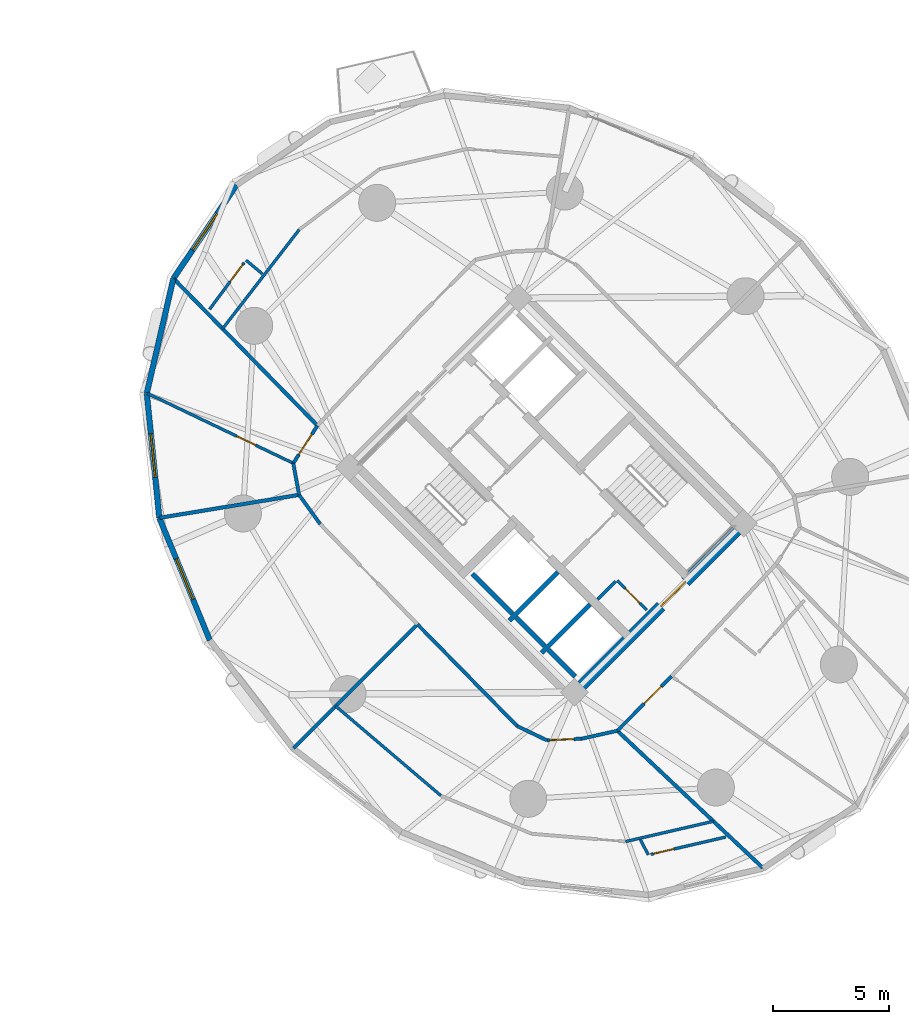
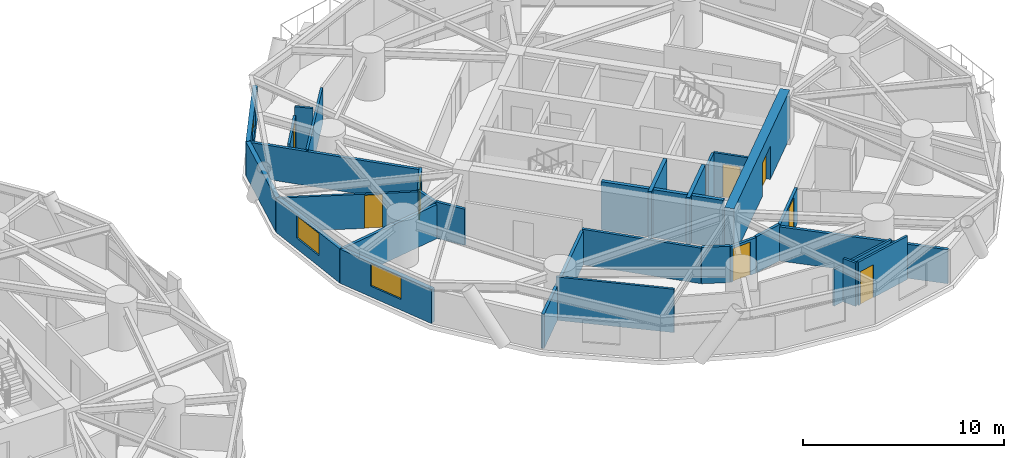
# One storey, part 12 of 19: 32 walls, 8 doors, 3 windows, 11 openings.
"""IFC4 building model written with IfcOpenShell, lengths in metres."""

from ifc_helpers import new_model, si_unit, direction, frame, frame_2d, origin, place, context, subcontext, project, spatial, rectangle, extrude, source, transform, mapped, material, layer, layer_set, type_object, element, fill, save


model = new_model("IFC4")

# Units and contexts
model_context = context("Model", 3, precision=1e-05, world=origin(), true_north=direction((0.0, 1.0)))
body_context = subcontext(model_context, "Body", "Model", "MODEL_VIEW")
ifc_project = project(units=[si_unit("LENGTHUNIT", "METRE"), si_unit("AREAUNIT", "SQUARE_METRE"), si_unit("VOLUMEUNIT", "CUBIC_METRE"), si_unit("PLANEANGLEUNIT", "RADIAN"), si_unit("MASSUNIT", "GRAM", prefix="KILO")], contexts=[model_context])

# Site, building, storey
site_placement = place(None, origin())
site = spatial("IfcSite", under=ifc_project, at=site_placement, CompositionType="ELEMENT")
building_placement = place(site_placement, origin())
building = spatial("IfcBuilding", under=site, at=building_placement, Name="Cununo Teusaquillo Station Towers", CompositionType="ELEMENT")
storey_placement = place(building_placement, frame((0.0, 0.0, 42.3701171875)))
storey = spatial("IfcBuildingStorey", under=building, at=storey_placement, Name="L12", CompositionType="ELEMENT", Elevation=42.3701171875)

# Walls
ifc_material_1 = material(Name="Concrete C50/60", Category="concrete")
ifc_layer_1 = layer(ifc_material_1, 0.199951171875)
ifc_layer_set_1 = layer_set([ifc_layer_1], Name="Concrete C50/60")
wall_type_1 = type_object("IfcWallType", Name="WL-CORE-200", PredefinedType="SHEAR", material=ifc_layer_set_1)
wall_1_placement = place(storey_placement, frame((55.8876953125, 19.0693359375, 0.0), z_axis=(0.0, 0.0, 1.0), x_axis=(0.707106781187, 0.707106781187, 0.0)))
element("IfcWall", 1, at=wall_1_placement, inside=storey, type_object=wall_type_1, Name="L12 Tower B Firefighting Lift Shaft South Shear Wall", PredefinedType="SHEAR", context=body_context, shape_type="SweptSolid", body=[
    extrude(rectangle(XDim=2.969970703125, YDim=0.199951171875, at=frame_2d((1.48486328125, 0.0))), origin(), (0.0, 0.0, 1.0), 2.909912109375),
])
wall_2_placement = place(storey_placement, frame((56.01513671875, 19.366455078125, 0.0), z_axis=(0.0, 0.0, 1.0), x_axis=(-0.707106781187, 0.707106781187, 0.0)))
element("IfcWall", 2, at=wall_2_placement, inside=storey, type_object=wall_type_1, Name="L12 Tower B Firefighting Lift Shaft Rear Shear Wall", PredefinedType="SHEAR", context=body_context, shape_type="SweptSolid", body=[
    extrude(rectangle(XDim=2.43994140625, YDim=0.199951171875, at=frame_2d((1.219970703125, 0.0))), origin(), (0.0, 0.0, 1.0), 2.909912109375),
])
wall_3_placement = place(storey_placement, frame((57.2841796875, 17.6728515625, 0.0), z_axis=(0.0, 0.0, 1.0), x_axis=(0.707147878904, 0.70706568108, 0.0)))
element("IfcWall", 3, at=wall_3_placement, inside=storey, type_object=wall_type_1, Name="L12 Tower B High-Rise Lift Hoistway Divider Shear Wall", PredefinedType="SHEAR", context=body_context, shape_type="SweptSolid", body=[
    extrude(rectangle(XDim=2.97021484375, YDim=0.199951171875, at=frame_2d((1.485107421875, 0.0))), origin(), (0.0, 0.0, 1.0), 2.909912109375),
])
wall_4_placement = place(storey_placement, frame((57.41162109375, 17.969970703125, 0.0), z_axis=(0.0, 0.0, 1.0), x_axis=(-0.707106781187, 0.707106781187, 0.0)))
element("IfcWall", 4, at=wall_4_placement, inside=storey, type_object=wall_type_1, Name="L12 Tower B High-Rise Lift 2 Shaft Rear Shear Wall", PredefinedType="SHEAR", context=body_context, shape_type="SweptSolid", body=[
    extrude(rectangle(XDim=1.73486328125, YDim=0.199951171875, at=frame_2d((0.867431640625, 0.0))), origin(), (0.0, 0.0, 1.0), 2.909912109375),
])
wall_5_placement = place(storey_placement, frame((58.7373046875, 16.64404296875, 0.0), z_axis=(0.0, 0.0, 1.0), x_axis=(-0.707032117043, 0.707181437447, 0.0)))
element("IfcWall", 5, at=wall_5_placement, inside=storey, type_object=wall_type_1, Name="L12 Tower B High-Rise Lift 1 Shaft Rear Shear Wall", PredefinedType="SHEAR", context=body_context, shape_type="SweptSolid", body=[
    extrude(rectangle(XDim=1.635009765625, YDim=0.199951171875, at=frame_2d((0.8173828125, 0.0))), origin(), (0.0, 0.0, 1.0), 2.909912109375),
])

# Wall, opening, door
ifc_material_2 = material(Name="Concrete C60/75", Category="concrete")
ifc_layer_2 = layer(ifc_material_2, 0.5)
ifc_layer_set_2 = layer_set([ifc_layer_2], Name="Concrete C60/75")
wall_type_2 = type_object("IfcWallType", Name="WL-CORE-500", PredefinedType="SHEAR", material=ifc_layer_set_2)
wall_6_placement = place(storey_placement, frame((58.595947265625, 15.837890625, 0.0), z_axis=(0.0, 0.0, 1.0), x_axis=(0.707106781187, 0.707106781187, 0.0)))
wall_6 = element("IfcWall", 6, at=wall_6_placement, inside=storey, type_object=wall_type_2, Name="L12 Tower B Core Shear Wall S", PredefinedType="SHEAR", context=body_context, shape_type="SweptSolid", body=[
    extrude(rectangle(XDim=10.7001953125, YDim=0.5, at=frame_2d((5.35009765625, 0.0))), origin(), (0.0, 0.0, 1.0), 2.909912109375),
])
shared_shape_1 = source(origin(), body_context, "Body", "SweptSolid", [
    extrude(rectangle(XDim=1.5, YDim=2.02001953125, at=frame_2d((0.75, 1.010009765625))), frame((0.0, 0.260009765625, 0.0), z_axis=(0.0, -1.0, 0.0), x_axis=(1.0, 0.0, 0.0)), (0.0, 0.0, 1.0), 0.52001953125),
])
opening_1_placement = place(wall_6_placement, frame((5.449951171875, 0.0, 0.0)))
opening_1 = element("IfcOpeningElement", 7, at=opening_1_placement, cuts=wall_6, Name="Opening D-LB1", PredefinedType="OPENING", context=body_context, shape_type="MappedRepresentation", body=[
    mapped(shared_shape_1, transform((0.0, 0.0, 0.0), x_axis=(1.0, 0.0, 0.0), y_axis=(0.0, 1.0, 0.0), z_axis=(0.0, 0.0, 1.0), scale=1.0)),
])
ifc_material_3 = material(Name="Galvanised fire-rated hollow steel door assembly", Category="steel")
door_type_1 = type_object("IfcDoorType", Name="DR-LOBBY-1500", OperationType="DOUBLE_DOOR_SINGLE_SWING", PredefinedType="DOOR", material=ifc_material_3)
shared_shape_2 = source(origin(), body_context, "Body", "SweptSolid", [
    extrude(rectangle(XDim=1.5, YDim=2.02001953125, at=frame_2d((0.75, 1.010009765625))), frame((0.0, 0.02490234375, 0.0), z_axis=(0.0, -1.0, 0.0), x_axis=(1.0, 0.0, 0.0)), (0.0, 0.0, 1.0), 0.050048828125),
])
door_1_placement = place(opening_1_placement, origin())
door_1 = element("IfcDoor", 8, at=door_1_placement, inside=storey, type_object=door_type_1, Name="L12 Tower B South Core Lift Lobby Door", OperationType="DOUBLE_DOOR_SINGLE_SWING", OverallHeight=2.02001953125, OverallWidth=1.5, PredefinedType="DOOR", context=body_context, shape_type="MappedRepresentation", body=[
    mapped(shared_shape_2, transform((0.0, 0.0, 0.0), x_axis=(1.0, 0.0, 0.0), y_axis=(0.0, 1.0, 0.0), z_axis=(0.0, 0.0, 1.0), scale=1.0)),
])
fill(opening_1, door_1)

# Wall, opening, window
ifc_material_4 = material(Name="Precast concrete C40/50", Category="concrete")
ifc_layer_3 = layer(ifc_material_4, 0.239990234375)
ifc_layer_set_3 = layer_set([ifc_layer_3], Name="Precast concrete C40/50")
wall_type_3 = type_object("IfcWallType", Name="WL-EXT-240", PredefinedType="SOLIDWALL", material=ifc_layer_set_3)
wall_7_placement = place(storey_placement, frame((41.35595703125, 33.87060546875, 0.0), z_axis=(0.0, 0.0, 1.0), x_axis=(0.559621532896, 0.828748297084, 0.0)))
wall_7 = element("IfcWall", 9, at=wall_7_placement, inside=storey, type_object=wall_type_3, Name="L12 Tower B Exterior Facade Wall C05", PredefinedType="SOLIDWALL", context=body_context, shape_type="SweptSolid", body=[
    extrude(rectangle(XDim=4.878662109375, YDim=0.239990234375, at=frame_2d((2.439453125, 0.0))), origin(), (0.0, 0.0, 1.0), 2.072998046875),
])
shared_shape_3 = source(origin(), body_context, "Body", "SweptSolid", [
    extrude(rectangle(XDim=1.89990234375, YDim=1.35009765625, at=frame_2d((0.949951171875, 0.675048828125))), frame((0.0, 0.1298828125, 0.0), z_axis=(0.0, -1.0, 0.0), x_axis=(1.0, 0.0, 0.0)), (0.0, 0.0, 1.0), 0.260009765625),
])
opening_2_placement = place(wall_7_placement, frame((1.489013671875, 0.0, 0.64990234375)))
opening_2 = element("IfcOpeningElement", 10, at=opening_2_placement, cuts=wall_7, Name="Opening WN-02", PredefinedType="OPENING", context=body_context, shape_type="MappedRepresentation", body=[
    mapped(shared_shape_3, transform((0.0, 0.0, 0.0), x_axis=(1.0, 0.0, 0.0), y_axis=(0.0, 1.0, 0.0), z_axis=(0.0, 0.0, 1.0), scale=1.0)),
])
ifc_material_5 = material(Name="Operable acoustic tinted low-E double glazing", Category="glass")
window_type = type_object("IfcWindowType", Name="WIN-OPER-1900", PartitioningType="DOUBLE_PANEL_VERTICAL", PredefinedType="WINDOW", material=ifc_material_5)
shared_shape_4 = source(origin(), body_context, "Body", "SweptSolid", [
    extrude(rectangle(XDim=1.89990234375, YDim=1.35009765625, at=frame_2d((0.949951171875, 0.675048828125))), frame((0.0, 0.030029296875, 0.0), z_axis=(0.0, -1.0, 0.0), x_axis=(1.0, 0.0, 0.0)), (0.0, 0.0, 1.0), 0.06005859375),
])
window_1_placement = place(opening_2_placement, origin())
window_1 = element("IfcWindow", 11, at=window_1_placement, inside=storey, type_object=window_type, Name="L12 Tower B Facade Window C05", OverallHeight=1.35009765625, OverallWidth=1.89990234375, PartitioningType="DOUBLE_PANEL_VERTICAL", PredefinedType="WINDOW", context=body_context, shape_type="MappedRepresentation", body=[
    mapped(shared_shape_4, transform((0.0, 0.0, 0.0), x_axis=(1.0, 0.0, 0.0), y_axis=(0.0, 1.0, 0.0), z_axis=(0.0, 0.0, 1.0), scale=1.0)),
])
fill(opening_2, window_1)

# Wall
wall_8_placement = place(storey_placement, frame((40.2060546875, 28.91015625, 0.0), z_axis=(0.0, 0.0, 1.0), x_axis=(0.22582585901, 0.974167686491, 0.0)))
element("IfcWall", 12, at=wall_8_placement, inside=storey, type_object=wall_type_3, Name="L12 Tower B Exterior Facade Wall C06", PredefinedType="SOLIDWALL", context=body_context, shape_type="SweptSolid", body=[
    extrude(rectangle(XDim=5.092041015625, YDim=0.239990234375, at=frame_2d((2.5458984375, 0.0))), origin(), (0.0, 0.0, 1.0), 2.072998046875),
])

# Wall, opening, window
wall_9_placement = place(storey_placement, frame((40.7490234375, 23.51806640625, 0.0), z_axis=(0.0, 0.0, 1.0), x_axis=(-0.100190592135, 0.994968263437, 0.0)))
wall_9 = element("IfcWall", 13, at=wall_9_placement, inside=storey, type_object=wall_type_3, Name="L12 Tower B Exterior Facade Wall C07", PredefinedType="SOLIDWALL", context=body_context, shape_type="SweptSolid", body=[
    extrude(rectangle(XDim=5.41943359375, YDim=0.239990234375, at=frame_2d((2.709716796875, 0.0))), origin(), (0.0, 0.0, 1.0), 2.072998046875),
])
opening_3_placement = place(wall_9_placement, frame((1.760009765625, 0.0, 0.64990234375)))
opening_3 = element("IfcOpeningElement", 14, at=opening_3_placement, cuts=wall_9, Name="Opening WN-02", PredefinedType="OPENING", context=body_context, shape_type="MappedRepresentation", body=[
    mapped(shared_shape_3, transform((0.0, 0.0, 0.0), x_axis=(1.0, 0.0, 0.0), y_axis=(0.0, 1.0, 0.0), z_axis=(0.0, 0.0, 1.0), scale=1.0)),
])
window_2_placement = place(opening_3_placement, origin())
window_2 = element("IfcWindow", 15, at=window_2_placement, inside=storey, type_object=window_type, Name="L12 Tower B Facade Window C07", OverallHeight=1.35009765625, OverallWidth=1.89990234375, PartitioningType="DOUBLE_PANEL_VERTICAL", PredefinedType="WINDOW", context=body_context, shape_type="MappedRepresentation", body=[
    mapped(shared_shape_4, transform((0.0, 0.0, 0.0), x_axis=(1.0, 0.0, 0.0), y_axis=(0.0, 1.0, 0.0), z_axis=(0.0, 0.0, 1.0), scale=1.0)),
])
fill(opening_3, window_2)

wall_10_placement = place(storey_placement, frame((42.931884765625, 18.22216796875, 0.0), z_axis=(0.0, 0.0, 1.0), x_axis=(-0.381077764176, 0.924542988536, 0.0)))
wall_10 = element("IfcWall", 16, at=wall_10_placement, inside=storey, type_object=wall_type_3, Name="L12 Tower B Exterior Facade Wall C08", PredefinedType="SOLIDWALL", context=body_context, shape_type="SweptSolid", body=[
    extrude(rectangle(XDim=5.72802734375, YDim=0.239990234375, at=frame_2d((2.864013671875, 0.0))), origin(), (0.0, 0.0, 1.0), 2.072998046875),
])
opening_4_placement = place(wall_10_placement, frame((1.9140625, 0.0, 0.64990234375)))
opening_4 = element("IfcOpeningElement", 17, at=opening_4_placement, cuts=wall_10, Name="Opening WN-02", PredefinedType="OPENING", context=body_context, shape_type="MappedRepresentation", body=[
    mapped(shared_shape_3, transform((0.0, 0.0, 0.0), x_axis=(1.0, 0.0, 0.0), y_axis=(0.0, 1.0, 0.0), z_axis=(0.0, 0.0, 1.0), scale=1.0)),
])
window_3_placement = place(opening_4_placement, origin())
window_3 = element("IfcWindow", 18, at=window_3_placement, inside=storey, type_object=window_type, Name="L12 Tower B Facade Window C08", OverallHeight=1.35009765625, OverallWidth=1.89990234375, PartitioningType="DOUBLE_PANEL_VERTICAL", PredefinedType="WINDOW", context=body_context, shape_type="MappedRepresentation", body=[
    mapped(shared_shape_4, transform((0.0, 0.0, 0.0), x_axis=(1.0, 0.0, 0.0), y_axis=(0.0, 1.0, 0.0), z_axis=(0.0, 0.0, 1.0), scale=1.0)),
])
fill(opening_4, window_3)

# Wall, opening, door
ifc_material_6 = material(Name="Fire-rated gypsum plasterboard partition assembly", Category="gypsum")
ifc_layer_4 = layer(ifc_material_6, 0.125)
ifc_layer_set_4 = layer_set([ifc_layer_4], Name="Fire-rated gypsum plasterboard partition assembly")
wall_type_4 = type_object("IfcWallType", Name="WL-PART-125", PredefinedType="PARTITIONING", material=ifc_layer_set_4)
wall_11_placement = place(storey_placement, frame((61.834716796875, 19.529052734375, 0.0), z_axis=(0.0, 0.0, 1.0), x_axis=(-0.707174592913, 0.707038962956, 0.0)))
wall_11 = element("IfcWall", 19, at=wall_11_placement, inside=storey, type_object=wall_type_4, Name="L12 Tower B South-West Compact Store East Wall", PredefinedType="PARTITIONING", context=body_context, shape_type="SweptSolid", body=[
    extrude(rectangle(XDim=1.800048828125, YDim=0.125, at=frame_2d((0.89990234375, 0.0))), origin(), (0.0, 0.0, 1.0), 2.634765625),
])
shared_shape_5 = source(origin(), body_context, "Body", "SweptSolid", [
    extrude(rectangle(XDim=0.89990234375, YDim=2.0048828125, at=frame_2d((0.449951171875, 1.00244140625))), frame((0.0, 0.072509765625, 0.0), z_axis=(0.0, -1.0, 0.0), x_axis=(1.0, 0.0, 0.0)), (0.0, 0.0, 1.0), 0.14501953125),
])
opening_5_placement = place(wall_11_placement, frame((0.419921875, 0.0, 0.0)))
opening_5 = element("IfcOpeningElement", 20, at=opening_5_placement, cuts=wall_11, Name="Opening D-SR1", PredefinedType="OPENING", context=body_context, shape_type="MappedRepresentation", body=[
    mapped(shared_shape_5, transform((0.0, 0.0, 0.0), x_axis=(1.0, 0.0, 0.0), y_axis=(0.0, 1.0, 0.0), z_axis=(0.0, 0.0, 1.0), scale=1.0)),
])
ifc_material_7 = material(Name="Galvanised fire-rated hollow steel door assembly", Category="steel")
door_type_2 = type_object("IfcDoorType", Name="DR-STORE-900", OperationType="NOTDEFINED", PredefinedType="DOOR", material=ifc_material_7)
shared_shape_6 = source(origin(), body_context, "Body", "SweptSolid", [
    extrude(rectangle(XDim=0.89990234375, YDim=2.0048828125, at=frame_2d((0.449951171875, 1.00244140625))), frame((0.0, 0.02490234375, 0.0), z_axis=(0.0, -1.0, 0.0), x_axis=(1.0, 0.0, 0.0)), (0.0, 0.0, 1.0), 0.050048828125),
])
door_2_placement = place(opening_5_placement, origin())
door_2 = element("IfcDoor", 21, at=door_2_placement, inside=storey, type_object=door_type_2, Name="L12 Tower B Core Electrical & Comms Store Door", OperationType="SINGLE_SWING_RIGHT", OverallHeight=2.0048828125, OverallWidth=0.89990234375, PredefinedType="DOOR", context=body_context, shape_type="MappedRepresentation", body=[
    mapped(shared_shape_6, transform((0.0, 0.0, 0.0), x_axis=(1.0, 0.0, 0.0), y_axis=(0.0, 1.0, 0.0), z_axis=(0.0, 0.0, 1.0), scale=1.0)),
])
fill(opening_5, door_2)

# Walls
wall_12_placement = place(storey_placement, frame((59.713134765625, 19.99560546875, 0.0), z_axis=(0.0, 0.0, 1.0), x_axis=(0.707217726, 0.706995818963, 0.0)))
element("IfcWall", 22, at=wall_12_placement, inside=storey, type_object=wall_type_4, Name="L12 Tower B South-West Compact Store North Wall", PredefinedType="PARTITIONING", context=body_context, shape_type="SweptSolid", body=[
    extrude(rectangle(XDim=1.10009765625, YDim=0.125, at=frame_2d((0.550048828125, 0.0))), origin(), (0.0, 0.0, 1.0), 2.634765625),
])
wall_13_placement = place(storey_placement, frame((46.801025390625, 35.989013671875, 0.0), z_axis=(0.0, 0.0, 1.0), x_axis=(-0.611635984749, -0.791139319058, 0.0)))
element("IfcWall", 23, at=wall_13_placement, inside=storey, type_object=wall_type_4, Name="L12 Tower B Royal Corner Hotel Suite Concentric Partition Wall C05", PredefinedType="PARTITIONING", context=body_context, shape_type="SweptSolid", body=[
    extrude(rectangle(XDim=5.418701171875, YDim=0.125, at=frame_2d((2.70947265625, 0.0))), origin(), (0.0, 0.0, 1.0), 2.158935546875),
])
wall_14_placement = place(storey_placement, frame((45.20361328125, 34.077880859375, 0.0), z_axis=(0.0, 0.0, 1.0), x_axis=(-0.768330339969, 0.640053504547, 0.0)))
element("IfcWall", 24, at=wall_14_placement, inside=storey, type_object=wall_type_4, Name="L12 Tower B S01 En-suite Side Wall", PredefinedType="PARTITIONING", context=body_context, shape_type="SweptSolid", body=[
    extrude(rectangle(XDim=0.917236328125, YDim=0.125, at=frame_2d((0.45849609375, 0.0))), origin(), (0.0, 0.0, 1.0), 2.634765625),
])

# Wall, opening, door
wall_15_placement = place(storey_placement, frame((44.420654296875, 34.559814453125, 0.0), z_axis=(0.0, 0.0, 1.0), x_axis=(-0.596454407051, -0.802646958699, 0.0)))
wall_15 = element("IfcWall", 25, at=wall_15_placement, inside=storey, type_object=wall_type_4, Name="L12 Tower B S01 En-suite Back Wall", PredefinedType="PARTITIONING", context=body_context, shape_type="SweptSolid", body=[
    extrude(rectangle(XDim=2.51611328125, YDim=0.125, at=frame_2d((1.258056640625, 0.0))), origin(), (0.0, 0.0, 1.0), 2.158935546875),
])
opening_6_placement = place(wall_15_placement, frame((0.1201171875, 0.0, 0.0)))
opening_6 = element("IfcOpeningElement", 26, at=opening_6_placement, cuts=wall_15, Name="Opening D-IN1", PredefinedType="OPENING", context=body_context, shape_type="MappedRepresentation", body=[
    mapped(shared_shape_5, transform((0.0, 0.0, 0.0), x_axis=(1.0, 0.0, 0.0), y_axis=(0.0, 1.0, 0.0), z_axis=(0.0, 0.0, 1.0), scale=1.0)),
])
ifc_material_8 = material(Name="Acoustic solid-core hardwood leaf assembly", Category="wood")
door_type_3 = type_object("IfcDoorType", Name="DR-INT-900", OperationType="NOTDEFINED", PredefinedType="DOOR", material=ifc_material_8)
door_3_placement = place(opening_6_placement, origin())
door_3 = element("IfcDoor", 27, at=door_3_placement, inside=storey, type_object=door_type_3, Name="L12 Tower B S01 En-suite Bathroom Door", OperationType="SINGLE_SWING_RIGHT", OverallHeight=2.0048828125, OverallWidth=0.89990234375, PredefinedType="DOOR", context=body_context, shape_type="MappedRepresentation", body=[
    mapped(shared_shape_6, transform((0.0, 0.0, 0.0), x_axis=(1.0, 0.0, 0.0), y_axis=(0.0, 1.0, 0.0), z_axis=(0.0, 0.0, 1.0), scale=1.0)),
])
fill(opening_6, door_3)

wall_16_placement = place(storey_placement, frame((46.543212890625, 25.882080078125, 0.0), z_axis=(0.0, 0.0, 1.0), x_axis=(-0.901937110034, 0.431867398103, 0.0)))
wall_16 = element("IfcWall", 28, at=wall_16_placement, inside=storey, type_object=wall_type_4, Name="L12 Tower B Hotel Boardroom Salon Suite Subdividing Wall", PredefinedType="PARTITIONING", context=body_context, shape_type="SweptSolid", body=[
    extrude(rectangle(XDim=7.004150390625, YDim=0.125, at=frame_2d((3.501953125, 0.0))), origin(), (0.0, 0.0, 1.0), 2.072998046875),
])
opening_7_placement = place(wall_16_placement, frame((1.800048828125, 0.0, 0.0)))
opening_7 = element("IfcOpeningElement", 29, at=opening_7_placement, cuts=wall_16, Name="Opening D-IN1", PredefinedType="OPENING", context=body_context, shape_type="MappedRepresentation", body=[
    mapped(shared_shape_5, transform((0.0, 0.0, 0.0), x_axis=(1.0, 0.0, 0.0), y_axis=(0.0, 1.0, 0.0), z_axis=(0.0, 0.0, 1.0), scale=1.0)),
])
door_4_placement = place(opening_7_placement, origin())
door_4 = element("IfcDoor", 30, at=door_4_placement, inside=storey, type_object=door_type_3, Name="L12 Tower B Hotel Boardroom Salon Suite Connecting Door", OperationType="SINGLE_SWING_RIGHT", OverallHeight=2.0048828125, OverallWidth=0.89990234375, PredefinedType="DOOR", context=body_context, shape_type="MappedRepresentation", body=[
    mapped(shared_shape_6, transform((0.0, 0.0, 0.0), x_axis=(1.0, 0.0, 0.0), y_axis=(0.0, 1.0, 0.0), z_axis=(0.0, 0.0, 1.0), scale=1.0)),
])
fill(opening_7, door_4)

# Walls
wall_17_placement = place(storey_placement, frame((48.376708984375, 15.376708984375, 0.0), z_axis=(0.0, 0.0, 1.0), x_axis=(0.761505943152, -0.648157927163, 0.0)))
element("IfcWall", 31, at=wall_17_placement, inside=storey, type_object=wall_type_4, Name="L12 Tower B Imperial Corner Hotel Suite Concentric Partition Wall C10", PredefinedType="PARTITIONING", context=body_context, shape_type="SweptSolid", body=[
    extrude(rectangle(XDim=5.979248046875, YDim=0.125, at=frame_2d((2.98974609375, 0.0))), origin(), (0.0, 0.0, 1.0), 2.634765625),
])
wall_18_placement = place(storey_placement, frame((60.92138671875, 9.5166015625, 0.0), z_axis=(0.0, 0.0, 1.0), x_axis=(0.974453436038, 0.224589627973, 0.0)))
element("IfcWall", 32, at=wall_18_placement, inside=storey, type_object=wall_type_4, Name="L12 Tower B Imperial Corner Hotel Suite Concentric Partition Wall C13", PredefinedType="PARTITIONING", context=body_context, shape_type="SweptSolid", body=[
    extrude(rectangle(XDim=3.898193359375, YDim=0.125, at=frame_2d((1.94921875, 0.0))), origin(), (0.0, 0.0, 1.0), 2.204833984375),
])
wall_19_placement = place(storey_placement, frame((61.564208984375, 9.589111328125, 0.0), z_axis=(0.0, 0.0, 1.0), x_axis=(0.462168536246, -0.886792108729, 0.0)))
element("IfcWall", 33, at=wall_19_placement, inside=storey, type_object=wall_type_4, Name="L12 Tower B S04 En-suite Side Wall", PredefinedType="PARTITIONING", context=body_context, shape_type="SweptSolid", body=[
    extrude(rectangle(XDim=0.73486328125, YDim=0.125, at=frame_2d((0.367431640625, 0.0))), origin(), (0.0, 0.0, 1.0), 2.634765625),
])

# Wall, opening, door
wall_20_placement = place(storey_placement, frame((62.0078125, 8.961669921875, 0.0), z_axis=(0.0, 0.0, 1.0), x_axis=(0.974365294983, 0.224971713626, 0.0)))
wall_20 = element("IfcWall", 34, at=wall_20_placement, inside=storey, type_object=wall_type_4, Name="L12 Tower B S04 En-suite Back Wall", PredefinedType="PARTITIONING", context=body_context, shape_type="SweptSolid", body=[
    extrude(rectangle(XDim=3.3369140625, YDim=0.125, at=frame_2d((1.66845703125, 0.0))), origin(), (0.0, 0.0, 1.0), 2.634765625),
])
opening_8_placement = place(wall_20_placement, frame((0.1201171875, 0.0, 0.0)))
opening_8 = element("IfcOpeningElement", 35, at=opening_8_placement, cuts=wall_20, Name="Opening D-IN1", PredefinedType="OPENING", context=body_context, shape_type="MappedRepresentation", body=[
    mapped(shared_shape_5, transform((0.0, 0.0, 0.0), x_axis=(1.0, 0.0, 0.0), y_axis=(0.0, 1.0, 0.0), z_axis=(0.0, 0.0, 1.0), scale=1.0)),
])
door_5_placement = place(opening_8_placement, origin())
door_5 = element("IfcDoor", 36, at=door_5_placement, inside=storey, type_object=door_type_3, Name="L12 Tower B S04 En-suite Bathroom Door", OperationType="SINGLE_SWING_RIGHT", OverallHeight=2.0048828125, OverallWidth=0.89990234375, PredefinedType="DOOR", context=body_context, shape_type="MappedRepresentation", body=[
    mapped(shared_shape_6, transform((0.0, 0.0, 0.0), x_axis=(1.0, 0.0, 0.0), y_axis=(0.0, 1.0, 0.0), z_axis=(0.0, 0.0, 1.0), scale=1.0)),
])
fill(opening_8, door_5)

ifc_material_9 = material(Name="Fire-rated gypsum plasterboard partition assembly", Category="gypsum")
ifc_layer_5 = layer(ifc_material_9, 0.14990234375)
ifc_layer_set_5 = layer_set([ifc_layer_5], Name="Fire-rated gypsum plasterboard partition assembly")
wall_type_5 = type_object("IfcWallType", Name="WL-PART-150", PredefinedType="PARTITIONING", material=ifc_layer_set_5)
wall_21_placement = place(storey_placement, frame((47.58837890625, 27.51025390625, 0.0), z_axis=(0.0, 0.0, 1.0), x_axis=(-0.540202619347, -0.841534984449, 0.0)))
wall_21 = element("IfcWall", 37, at=wall_21_placement, inside=storey, type_object=wall_type_5, Name="L12 Tower B Corridor Ring Wall C06", PredefinedType="PARTITIONING", context=body_context, shape_type="SweptSolid", body=[
    extrude(rectangle(XDim=1.934814453125, YDim=0.14990234375, at=frame_2d((0.96728515625, 0.0))), origin(), (0.0, 0.0, 1.0), 2.158935546875),
])
shared_shape_7 = source(origin(), body_context, "Body", "SweptSolid", [
    extrude(rectangle(XDim=1.050048828125, YDim=2.014892578125, at=frame_2d((0.52490234375, 1.00732421875))), frame((0.0, 0.0849609375, 0.0), z_axis=(0.0, -1.0, 0.0), x_axis=(1.0, 0.0, 0.0)), (0.0, 0.0, 1.0), 0.169921875),
])
opening_9_placement = place(wall_21_placement, frame((0.4423828125, 0.0, 0.0)))
opening_9 = element("IfcOpeningElement", 38, at=opening_9_placement, cuts=wall_21, Name="Opening D-SU1", PredefinedType="OPENING", context=body_context, shape_type="MappedRepresentation", body=[
    mapped(shared_shape_7, transform((0.0, 0.0, 0.0), x_axis=(1.0, 0.0, 0.0), y_axis=(0.0, 1.0, 0.0), z_axis=(0.0, 0.0, 1.0), scale=1.0)),
])
ifc_material_10 = material(Name="Acoustic solid-core hardwood leaf assembly", Category="wood")
door_type_4 = type_object("IfcDoorType", Name="DR-SUITE-1050", OperationType="NOTDEFINED", PredefinedType="DOOR", material=ifc_material_10)
shared_shape_8 = source(origin(), body_context, "Body", "SweptSolid", [
    extrude(rectangle(XDim=1.050048828125, YDim=2.014892578125, at=frame_2d((0.52490234375, 1.00732421875))), frame((0.0, 0.02490234375, 0.0), z_axis=(0.0, -1.0, 0.0), x_axis=(1.0, 0.0, 0.0)), (0.0, 0.0, 1.0), 0.050048828125),
])
door_6_placement = place(opening_9_placement, origin())
door_6 = element("IfcDoor", 39, at=door_6_placement, inside=storey, type_object=door_type_4, Name="L12 Tower B Hotel Boardroom Salon Entrance Door", OperationType="SINGLE_SWING_LEFT", OverallHeight=2.014892578125, OverallWidth=1.050048828125, PredefinedType="DOOR", context=body_context, shape_type="MappedRepresentation", body=[
    mapped(shared_shape_8, transform((0.0, 0.0, 0.0), x_axis=(1.0, 0.0, 0.0), y_axis=(0.0, 1.0, 0.0), z_axis=(0.0, 0.0, 1.0), scale=1.0)),
])
fill(opening_9, door_6)

# Walls
wall_22_placement = place(storey_placement, frame((46.543212890625, 25.882080078125, 0.0), z_axis=(0.0, 0.0, 1.0), x_axis=(0.181153502579, -0.983454832976, 0.0)))
element("IfcWall", 40, at=wall_22_placement, inside=storey, type_object=wall_type_5, Name="L12 Tower B Corridor Ring Wall C07", PredefinedType="PARTITIONING", context=body_context, shape_type="SweptSolid", body=[
    extrude(rectangle(XDim=1.39208984375, YDim=0.14990234375, at=frame_2d((0.696044921875, 0.0))), origin(), (0.0, 0.0, 1.0), 2.158935546875),
])
wall_23_placement = place(storey_placement, frame((46.79541015625, 24.512939453125, 0.0), z_axis=(0.0, 0.0, 1.0), x_axis=(0.585628197524, -0.810579801294, 0.0)))
element("IfcWall", 41, at=wall_23_placement, inside=storey, type_object=wall_type_5, Name="L12 Tower B Corridor Ring Wall C08", PredefinedType="PARTITIONING", context=body_context, shape_type="SweptSolid", body=[
    extrude(rectangle(XDim=1.55419921875, YDim=0.14990234375, at=frame_2d((0.777099609375, 0.0))), origin(), (0.0, 0.0, 1.0), 2.204833984375),
])
wall_24_placement = place(storey_placement, frame((51.913818359375, 18.913818359375, 0.0), z_axis=(0.0, 0.0, 1.0), x_axis=(0.699999313799, -0.714143515465, 0.0)))
element("IfcWall", 42, at=wall_24_placement, inside=storey, type_object=wall_type_5, Name="L12 Tower B Corridor Ring Wall C10", PredefinedType="PARTITIONING", context=body_context, shape_type="SweptSolid", body=[
    extrude(rectangle(XDim=6.162109375, YDim=0.14990234375, at=frame_2d((3.0810546875, 0.0))), origin(), (0.0, 0.0, 1.0), 2.158935546875),
])
wall_25_placement = place(storey_placement, frame((56.227294921875, 14.51318359375, 0.0), z_axis=(0.0, 0.0, 1.0), x_axis=(0.901477579283, -0.432825801044, 0.0)))
element("IfcWall", 43, at=wall_25_placement, inside=storey, type_object=wall_type_5, Name="L12 Tower B Corridor Ring Wall C11", PredefinedType="PARTITIONING", context=body_context, shape_type="SweptSolid", body=[
    extrude(rectangle(XDim=1.42431640625, YDim=0.14990234375, at=frame_2d((0.712158203125, 0.0))), origin(), (0.0, 0.0, 1.0), 2.204833984375),
])

# Wall, opening, door
wall_26_placement = place(storey_placement, frame((57.51123046875, 13.896728515625, 0.0), z_axis=(0.0, 0.0, 1.0), x_axis=(0.999024538494, 0.044158481476, 0.0)))
wall_26 = element("IfcWall", 44, at=wall_26_placement, inside=storey, type_object=wall_type_5, Name="L12 Tower B Corridor Ring Wall C12", PredefinedType="PARTITIONING", context=body_context, shape_type="SweptSolid", body=[
    extrude(rectangle(XDim=1.498291015625, YDim=0.14990234375, at=frame_2d((0.7490234375, 0.0))), origin(), (0.0, 0.0, 1.0), 2.158935546875),
])
opening_10_placement = place(wall_26_placement, frame((0.1201171875, 0.0, 0.0)))
opening_10 = element("IfcOpeningElement", 45, at=opening_10_placement, cuts=wall_26, Name="Opening D-SU1", PredefinedType="OPENING", context=body_context, shape_type="MappedRepresentation", body=[
    mapped(shared_shape_7, transform((0.0, 0.0, 0.0), x_axis=(1.0, 0.0, 0.0), y_axis=(0.0, 1.0, 0.0), z_axis=(0.0, 0.0, 1.0), scale=1.0)),
])
door_7_placement = place(opening_10_placement, origin())
door_7 = element("IfcDoor", 46, at=door_7_placement, inside=storey, type_object=door_type_4, Name="L12 Tower B Imperial Corner Hotel Suite Entrance Door", OperationType="SINGLE_SWING_RIGHT", OverallHeight=2.014892578125, OverallWidth=1.050048828125, PredefinedType="DOOR", context=body_context, shape_type="MappedRepresentation", body=[
    mapped(shared_shape_8, transform((0.0, 0.0, 0.0), x_axis=(1.0, 0.0, 0.0), y_axis=(0.0, 1.0, 0.0), z_axis=(0.0, 0.0, 1.0), scale=1.0)),
])
fill(opening_10, door_7)

# Wall
wall_27_placement = place(storey_placement, frame((59.008056640625, 13.962890625, 0.0), z_axis=(0.0, 0.0, 1.0), x_axis=(0.976020856791, 0.21767702476, 0.0)))
element("IfcWall", 47, at=wall_27_placement, inside=storey, type_object=wall_type_5, Name="L12 Tower B Corridor Ring Wall C13", PredefinedType="PARTITIONING", context=body_context, shape_type="SweptSolid", body=[
    extrude(rectangle(XDim=1.592529296875, YDim=0.14990234375, at=frame_2d((0.79638671875, 0.0))), origin(), (0.0, 0.0, 1.0), 2.204833984375),
])

# Wall, opening, door
wall_28_placement = place(storey_placement, frame((60.5625, 14.3095703125, 0.0), z_axis=(0.0, 0.0, 1.0), x_axis=(0.704566236161, 0.709638230975, 0.0)))
wall_28 = element("IfcWall", 48, at=wall_28_placement, inside=storey, type_object=wall_type_5, Name="L12 Tower B Corridor Ring Wall C14", PredefinedType="PARTITIONING", context=body_context, shape_type="SweptSolid", body=[
    extrude(rectangle(XDim=3.3212890625, YDim=0.14990234375, at=frame_2d((1.66064453125, 0.0))), origin(), (0.0, 0.0, 1.0), 2.158935546875),
])
opening_11_placement = place(wall_28_placement, frame((1.643310546875, 0.0, 0.0)))
opening_11 = element("IfcOpeningElement", 49, at=opening_11_placement, cuts=wall_28, Name="Opening D-SU1", PredefinedType="OPENING", context=body_context, shape_type="MappedRepresentation", body=[
    mapped(shared_shape_7, transform((0.0, 0.0, 0.0), x_axis=(1.0, 0.0, 0.0), y_axis=(0.0, 1.0, 0.0), z_axis=(0.0, 0.0, 1.0), scale=1.0)),
])
door_8_placement = place(opening_11_placement, origin())
door_8 = element("IfcDoor", 50, at=door_8_placement, inside=storey, type_object=door_type_4, Name="L12 Tower B Governor Hospitality Suite Entrance Door", OperationType="SINGLE_SWING_LEFT", OverallHeight=2.014892578125, OverallWidth=1.050048828125, PredefinedType="DOOR", context=body_context, shape_type="MappedRepresentation", body=[
    mapped(shared_shape_8, transform((0.0, 0.0, 0.0), x_axis=(1.0, 0.0, 0.0), y_axis=(0.0, 1.0, 0.0), z_axis=(0.0, 0.0, 1.0), scale=1.0)),
])
fill(opening_11, door_8)

# Walls
ifc_material_11 = material(Name="Fire-rated gypsum plasterboard partition assembly", Category="gypsum")
ifc_layer_6 = layer(ifc_material_11, 0.159912109375)
ifc_layer_set_6 = layer_set([ifc_layer_6], Name="Fire-rated gypsum plasterboard partition assembly")
wall_type_6 = type_object("IfcWallType", Name="WL-PART-160", PredefinedType="PARTITIONING", material=ifc_layer_set_6)
wall_29_placement = place(storey_placement, frame((47.58837890625, 27.51025390625, 0.0), z_axis=(0.0, 0.0, 1.0), x_axis=(-0.699371977892, 0.714757886657, 0.0)))
element("IfcWall", 51, at=wall_29_placement, inside=storey, type_object=wall_type_6, Name="L12 Tower B Radial Suite Partition R03", PredefinedType="PARTITIONING", context=body_context, shape_type="SweptSolid", body=[
    extrude(rectangle(XDim=8.885986328125, YDim=0.159912109375, at=frame_2d((4.44287109375, 0.0))), origin(), (0.0, 0.0, 1.0), 2.072998046875),
])
wall_30_placement = place(storey_placement, frame((46.79541015625, 24.512939453125, 0.0), z_axis=(0.0, 0.0, 1.0), x_axis=(-0.986729986004, -0.162369746937, 0.0)))
element("IfcWall", 52, at=wall_30_placement, inside=storey, type_object=wall_type_6, Name="L12 Tower B Radial Suite Partition R04", PredefinedType="PARTITIONING", context=body_context, shape_type="SweptSolid", body=[
    extrude(rectangle(XDim=6.107666015625, YDim=0.159912109375, at=frame_2d((3.0537109375, 0.0))), origin(), (0.0, 0.0, 1.0), 2.072998046875),
])
wall_31_placement = place(storey_placement, frame((51.913818359375, 18.913818359375, 0.0), z_axis=(0.0, 0.0, 1.0), x_axis=(-0.707106781187, -0.707106781187, 0.0)))
element("IfcWall", 53, at=wall_31_placement, inside=storey, type_object=wall_type_6, Name="L12 Tower B Radial Suite Partition R05", PredefinedType="PARTITIONING", context=body_context, shape_type="SweptSolid", body=[
    extrude(rectangle(XDim=7.578857421875, YDim=0.159912109375, at=frame_2d((3.78955078125, 0.0))), origin(), (0.0, 0.0, 1.0), 2.072998046875),
])
wall_32_placement = place(storey_placement, frame((60.5625, 14.3095703125, 0.0), z_axis=(0.0, 0.0, 1.0), x_axis=(0.727781661561, -0.685808904211, 0.0)))
element("IfcWall", 54, at=wall_32_placement, inside=storey, type_object=wall_type_6, Name="L12 Tower B Radial Suite Partition R06", PredefinedType="PARTITIONING", context=body_context, shape_type="SweptSolid", body=[
    extrude(rectangle(XDim=8.6552734375, YDim=0.159912109375, at=frame_2d((4.32763671875, 0.0))), origin(), (0.0, 0.0, 1.0), 2.072998046875),
])

save(model, "model.ifc")
